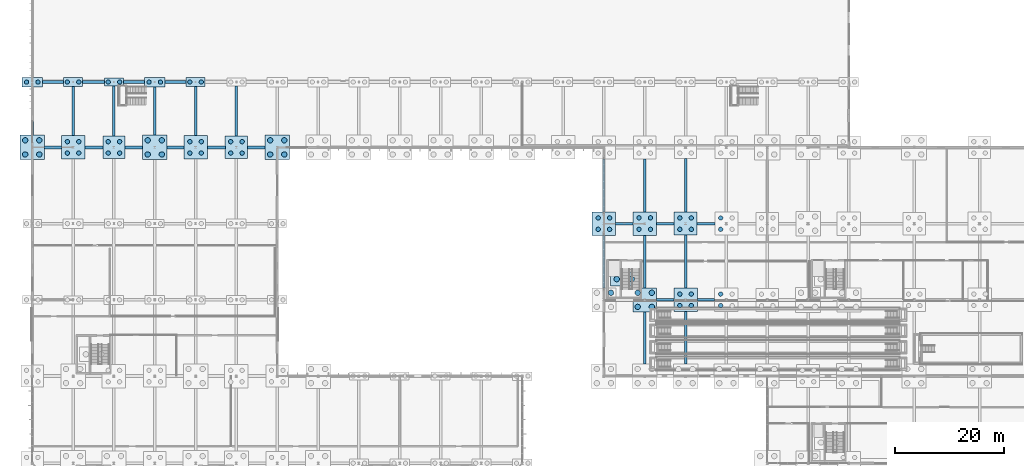
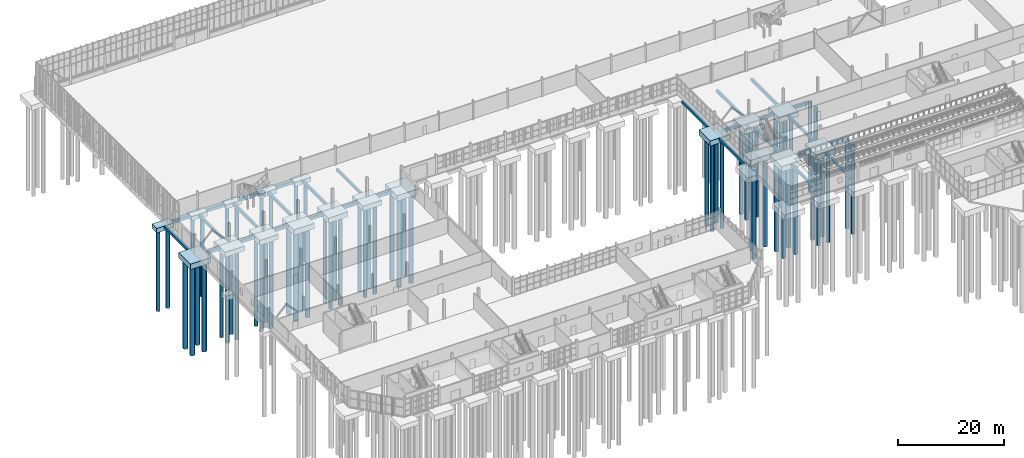
# One storey, part 4 of 136: 65 piles, 47 footings.
"""IFC4 building model written with IfcOpenShell, lengths in metres."""

from ifc_helpers import new_model, si_unit, direction, frame, origin, origin_2d, place, context, subcontext, project, spatial, rectangle, circle, extrude, material, material_profile, profile_set, type_object, element, save


model = new_model("IFC4")

# Units and contexts
model_context = context("Model", 3, precision=1e-05, world=origin(), true_north=direction((0.0, 1.0)))
body_context = subcontext(model_context, "Body", "Model", "MODEL_VIEW")
ifc_project = project(units=[si_unit("LENGTHUNIT", "METRE"), si_unit("AREAUNIT", "SQUARE_METRE"), si_unit("VOLUMEUNIT", "CUBIC_METRE"), si_unit("PLANEANGLEUNIT", "RADIAN"), si_unit("MASSUNIT", "GRAM", prefix="KILO")], contexts=[model_context])

# Site, building, storey
site_placement = place(None, origin())
site = spatial("IfcSite", under=ifc_project, at=site_placement, CompositionType="ELEMENT")
building_placement = place(site_placement, origin())
building = spatial("IfcBuilding", under=site, at=building_placement, Name="Solvenia Promenade Tram Depot", CompositionType="ELEMENT")
storey_placement = place(building_placement, origin())
storey = spatial("IfcBuildingStorey", under=building, at=storey_placement, Name="L00", CompositionType="ELEMENT", Elevation=0.0)

# Footings
ifc_material = material(Name="Concrete C28/35", Category="concrete")
footing_type_1 = type_object("IfcFootingType", Name="Cap-Core-5100x2600", PredefinedType="PAD_FOOTING", material=ifc_material)
footing_1_placement = place(storey_placement, frame((108.75, 41.800048828125, -1.5), z_axis=(0.0, 0.0, 1.0), x_axis=(1.0, 0.0, 0.0)))
element("IfcFooting", 1, at=footing_1_placement, inside=storey, type_object=footing_type_1, Name="Core Foundation Mat C5", PredefinedType="PAD_FOOTING", context=body_context, shape_type="SweptSolid", body=[
    extrude(rectangle(XDim=5.10009765625, YDim=2.60009765625, at=origin_2d()), origin(), (0.0, 0.0, 1.0), 1.199951171875),
])
footing_type_2 = type_object("IfcFootingType", Name="Cap-PC2-3450x1500", PredefinedType="PILE_CAP", material=ifc_material)
footing_2_placement = place(storey_placement, frame((15.0, 78.0, -1.280029296875), z_axis=(0.0, 0.0, 1.0), x_axis=(1.0, 0.0, 0.0)))
element("IfcFooting", 2, at=footing_2_placement, inside=storey, type_object=footing_type_2, Name="Pile Cap CAP-022", PredefinedType="PILE_CAP", context=body_context, shape_type="SweptSolid", body=[
    extrude(rectangle(XDim=3.449951171875, YDim=1.5, at=origin_2d()), origin(), (0.0, 0.0, 1.0), 0.97998046875),
])
footing_type_3 = type_object("IfcFootingType", Name="Cap-PC2-3550x1620", PredefinedType="PILE_CAP", material=ifc_material)
for number, where, z_axis, x_axis, name in (
    (3, (7.5, 78.0, -1.320068359375), (0.0, 0.0, 1.0), (1.0, 0.0, 0.0), "Pile Cap CAP-014"),
    (4, (30.0, 78.0, -1.320068359375), (0.0, 0.0, 1.0), (1.0, 0.0, 0.0), "Pile Cap CAP-038"),
):
    element("IfcFooting", number, at=place(storey_placement, frame(where, z_axis=z_axis, x_axis=x_axis)), inside=storey, type_object=footing_type_3, Name=name, PredefinedType="PILE_CAP", context=body_context, shape_type="SweptSolid", body=[
        extrude(rectangle(XDim=3.550048828125, YDim=1.6201171875, at=origin_2d()), origin(), (0.0, 0.0, 1.0), 1.02001953125),
    ])
footing_type_4 = type_object("IfcFootingType", Name="Cap-PC2-3700x1750", PredefinedType="PILE_CAP", material=ifc_material)
for number, where, z_axis, x_axis, name in (
    (5, (0.0, 78.0, -1.380126953125), (0.0, 0.0, 1.0), (1.0, 0.0, 0.0), "Pile Cap CAP-006"),
    (6, (22.5, 78.0, -1.380126953125), (0.0, 0.0, 1.0), (1.0, 0.0, 0.0), "Pile Cap CAP-030"),
):
    element("IfcFooting", number, at=place(storey_placement, frame(where, z_axis=z_axis, x_axis=x_axis)), inside=storey, type_object=footing_type_4, Name=name, PredefinedType="PILE_CAP", context=body_context, shape_type="SweptSolid", body=[
        extrude(rectangle(XDim=3.699951171875, YDim=1.75, at=origin_2d()), origin(), (0.0, 0.0, 1.0), 1.080078125),
    ])
footing_type_5 = type_object("IfcFootingType", Name="Cap-PC4-4100", PredefinedType="PILE_CAP", material=ifc_material)
for number, where, z_axis, x_axis, name in (
    (7, (15.0, 66.0, -1.420166015625), (0.0, 0.0, 1.0), (1.0, 0.0, 0.0), "Pile Cap CAP-021"),
    (8, (37.5, 66.0, -1.420166015625), (0.0, 0.0, 1.0), (1.0, 0.0, 0.0), "Pile Cap CAP-045"),
):
    element("IfcFooting", number, at=place(storey_placement, frame(where, z_axis=z_axis, x_axis=x_axis)), inside=storey, type_object=footing_type_5, Name=name, PredefinedType="PILE_CAP", context=body_context, shape_type="SweptSolid", body=[
        extrude(rectangle(XDim=4.10009765625, YDim=4.10009765625, at=origin_2d()), origin(), (0.0, 0.0, 1.0), 1.1201171875),
    ])
footing_type_6 = type_object("IfcFootingType", Name="Cap-PC4-4200", PredefinedType="PILE_CAP", material=ifc_material)
footing_3_placement = place(storey_placement, frame((120.0, 52.0, -1.449951171875), z_axis=(0.0, 0.0, 1.0), x_axis=(1.0, 0.0, 0.0)))
element("IfcFooting", 9, at=footing_3_placement, inside=storey, type_object=footing_type_6, Name="Pile Cap CAP-108", PredefinedType="PILE_CAP", context=body_context, shape_type="SweptSolid", body=[
    extrude(rectangle(XDim=4.199951171875, YDim=4.199951171875, at=origin_2d()), origin(), (0.0, 0.0, 1.0), 1.14990234375),
])
footing_type_7 = type_object("IfcFootingType", Name="Cap-PC4-4300", PredefinedType="PILE_CAP", material=ifc_material)
for number, where, z_axis, x_axis, name in (
    (10, (7.5, 66.0, -1.47998046875), (0.0, 0.0, 1.0), (1.0, 0.0, 0.0), "Pile Cap CAP-013"),
    (11, (30.0, 66.0, -1.47998046875), (0.0, 0.0, 1.0), (1.0, 0.0, 0.0), "Pile Cap CAP-037"),
    (12, (105.0, 52.0, -1.47998046875), (0.0, 0.0, 1.0), (1.0, 0.0, 0.0), "Pile Cap CAP-096"),
    (13, (112.5, 52.0, -1.47998046875), (0.0, 0.0, 1.0), (1.0, 0.0, 0.0), "Pile Cap CAP-102"),
    (14, (120.0, 38.0, -1.47998046875), (0.0, 0.0, 1.0), (1.0, 0.0, 0.0), "Pile Cap CAP-107"),
):
    element("IfcFooting", number, at=place(storey_placement, frame(where, z_axis=z_axis, x_axis=x_axis)), inside=storey, type_object=footing_type_7, Name=name, PredefinedType="PILE_CAP", context=body_context, shape_type="SweptSolid", body=[
        extrude(rectangle(XDim=4.300048828125, YDim=4.300048828125, at=origin_2d()), origin(), (0.0, 0.0, 1.0), 1.179931640625),
    ])
footing_type_8 = type_object("IfcFootingType", Name="Cap-PC4-4400", PredefinedType="PILE_CAP", material=ifc_material)
footing_4_placement = place(storey_placement, frame((112.5, 38.0, -1.52001953125), z_axis=(0.0, 0.0, 1.0), x_axis=(1.0, 0.0, 0.0)))
element("IfcFooting", 15, at=footing_4_placement, inside=storey, type_object=footing_type_8, Name="Pile Cap CAP-101", PredefinedType="PILE_CAP", context=body_context, shape_type="SweptSolid", body=[
    extrude(rectangle(XDim=4.39990234375, YDim=4.39990234375, at=origin_2d()), origin(), (0.0, 0.0, 1.0), 1.219970703125),
])
footing_type_9 = type_object("IfcFootingType", Name="Cap-PC4-4500", PredefinedType="PILE_CAP", material=ifc_material)
for number, where, z_axis, x_axis, name in (
    (16, (0.0, 66.0, -1.56005859375), (0.0, 0.0, 1.0), (1.0, 0.0, 0.0), "Pile Cap CAP-005"),
    (17, (22.5, 66.0, -1.56005859375), (0.0, 0.0, 1.0), (1.0, 0.0, 0.0), "Pile Cap CAP-029"),
    (18, (45.0, 66.0, -1.56005859375), (0.0, 0.0, 1.0), (1.0, 0.0, 0.0), "Pile Cap CAP-053"),
):
    element("IfcFooting", number, at=place(storey_placement, frame(where, z_axis=z_axis, x_axis=x_axis)), inside=storey, type_object=footing_type_9, Name=name, PredefinedType="PILE_CAP", context=body_context, shape_type="SweptSolid", body=[
        extrude(rectangle(XDim=4.5, YDim=4.5, at=origin_2d()), origin(), (0.0, 0.0, 1.0), 1.260009765625),
    ])

# Piles
ifc_material_profile_1 = material_profile(ifc_material, circle(Radius=0.5, at=origin_2d()), Name="D1000", Category="concrete")
ifc_profile_set_1 = profile_set([ifc_material_profile_1], Name="Concrete C28/35")
pile_type_1 = type_object("IfcPileType", Name="Pile-D1000", PredefinedType="BORED", material=ifc_profile_set_1)
for number, where, z_axis, x_axis, name in (
    (19, (-1.300048828125, 64.699951171875, -1.4599609375), (0.0, 0.0, -1.0), (1.0, 0.0, 0.0), "Bored Pile PILE-005-1"),
    (20, (-1.300048828125, 67.300048828125, -1.4599609375), (0.0, 0.0, -1.0), (1.0, 0.0, 0.0), "Bored Pile PILE-005-2"),
    (21, (1.300048828125, 64.699951171875, -1.4599609375), (0.0, 0.0, -1.0), (1.0, 0.0, 0.0), "Bored Pile PILE-005-3"),
    (22, (1.300048828125, 67.300048828125, -1.4599609375), (0.0, 0.0, -1.0), (1.0, 0.0, 0.0), "Bored Pile PILE-005-4"),
    (23, (21.199951171875, 64.699951171875, -1.4599609375), (0.0, 0.0, -1.0), (1.0, 0.0, 0.0), "Bored Pile PILE-029-1"),
    (24, (21.199951171875, 67.300048828125, -1.4599609375), (0.0, 0.0, -1.0), (1.0, 0.0, 0.0), "Bored Pile PILE-029-2"),
    (25, (23.800048828125, 64.699951171875, -1.4599609375), (0.0, 0.0, -1.0), (1.0, 0.0, 0.0), "Bored Pile PILE-029-3"),
    (26, (23.800048828125, 67.300048828125, -1.4599609375), (0.0, 0.0, -1.0), (1.0, 0.0, 0.0), "Bored Pile PILE-029-4"),
    (27, (43.699951171875, 64.699951171875, -1.4599609375), (0.0, 0.0, -1.0), (1.0, 0.0, 0.0), "Bored Pile PILE-053-1"),
    (28, (43.699951171875, 67.300048828125, -1.4599609375), (0.0, 0.0, -1.0), (1.0, 0.0, 0.0), "Bored Pile PILE-053-2"),
    (29, (46.300048828125, 64.699951171875, -1.4599609375), (0.0, 0.0, -1.0), (1.0, 0.0, 0.0), "Bored Pile PILE-053-3"),
    (30, (46.300048828125, 67.300048828125, -1.4599609375), (0.0, 0.0, -1.0), (1.0, 0.0, 0.0), "Bored Pile PILE-053-4"),
):
    element("IfcPile", number, at=place(storey_placement, frame(where, z_axis=z_axis, x_axis=x_axis)), inside=storey, type_object=pile_type_1, Name=name, PredefinedType="BORED", context=body_context, shape_type="SweptSolid", body=[
        extrude(circle(Radius=0.5, at=origin_2d()), origin(), (0.0, 0.0, 1.0), 20.5400390625),
    ])
for number, where, z_axis, x_axis, name in (
    (31, (106.300048828125, 39.300048828125, -1.419921875), (0.0, 0.0, -1.0), (1.0, 0.0, 0.0), "Bored Pile PILE-095-4"),
    (32, (111.199951171875, 36.699951171875, -1.419921875), (0.0, 0.0, -1.0), (1.0, 0.0, 0.0), "Bored Pile PILE-101-1"),
    (33, (111.199951171875, 39.300048828125, -1.419921875), (0.0, 0.0, -1.0), (1.0, 0.0, 0.0), "Bored Pile PILE-101-2"),
    (34, (113.800048828125, 36.699951171875, -1.419921875), (0.0, 0.0, -1.0), (1.0, 0.0, 0.0), "Bored Pile PILE-101-3"),
    (35, (113.800048828125, 39.300048828125, -1.419921875), (0.0, 0.0, -1.0), (1.0, 0.0, 0.0), "Bored Pile PILE-101-4"),
):
    element("IfcPile", number, at=place(storey_placement, frame(where, z_axis=z_axis, x_axis=x_axis)), inside=storey, type_object=pile_type_1, Name=name, PredefinedType="BORED", context=body_context, shape_type="SweptSolid", body=[
        extrude(circle(Radius=0.5, at=origin_2d()), origin(), (0.0, 0.0, 1.0), 20.580078125),
    ])
for number, where, z_axis, x_axis, name in (
    (36, (107.35009765625, 41.800048828125, -1.39990234375), (0.0, 0.0, -1.0), (1.0, 0.0, 0.0), "Core Bored Pile PILE-CORE-05-1"),
    (37, (110.14990234375, 41.800048828125, -1.39990234375), (0.0, 0.0, -1.0), (1.0, 0.0, 0.0), "Core Bored Pile PILE-CORE-05-2"),
):
    element("IfcPile", number, at=place(storey_placement, frame(where, z_axis=z_axis, x_axis=x_axis)), inside=storey, type_object=pile_type_1, Name=name, PredefinedType="BORED", context=body_context, shape_type="SweptSolid", body=[
        extrude(circle(Radius=0.5, at=origin_2d()), origin(), (0.0, 0.0, 1.0), 20.60009765625),
    ])
ifc_material_profile_2 = material_profile(ifc_material, circle(Radius=0.39990234375, at=origin_2d()), Name="D800", Category="concrete")
ifc_profile_set_2 = profile_set([ifc_material_profile_2], Name="Concrete C28/35")
pile_type_2 = type_object("IfcPileType", Name="Pile-D800", PredefinedType="BORED", material=ifc_profile_set_2)
for number, where, z_axis, x_axis, name in (
    (38, (-1.050048828125, 78.0, -1.280029296875), (0.0, 0.0, -1.0), (1.0, 0.0, 0.0), "Bored Pile PILE-006-1"),
    (39, (1.050048828125, 78.0, -1.280029296875), (0.0, 0.0, -1.0), (1.0, 0.0, 0.0), "Bored Pile PILE-006-2"),
):
    element("IfcPile", number, at=place(storey_placement, frame(where, z_axis=z_axis, x_axis=x_axis)), inside=storey, type_object=pile_type_2, Name=name, PredefinedType="BORED", context=body_context, shape_type="SweptSolid", body=[
        extrude(circle(Radius=0.39990234375, at=origin_2d()), origin(), (0.0, 0.0, 1.0), 18.719970703125),
    ])
for number, where, z_axis, x_axis, name in (
    (40, (6.449951171875, 64.949951171875, -1.3798828125), (0.0, 0.0, -1.0), (1.0, 0.0, 0.0), "Bored Pile PILE-013-1"),
    (41, (6.449951171875, 67.050048828125, -1.3798828125), (0.0, 0.0, -1.0), (1.0, 0.0, 0.0), "Bored Pile PILE-013-2"),
    (42, (8.550048828125, 64.949951171875, -1.3798828125), (0.0, 0.0, -1.0), (1.0, 0.0, 0.0), "Bored Pile PILE-013-3"),
    (43, (8.550048828125, 67.050048828125, -1.3798828125), (0.0, 0.0, -1.0), (1.0, 0.0, 0.0), "Bored Pile PILE-013-4"),
):
    element("IfcPile", number, at=place(storey_placement, frame(where, z_axis=z_axis, x_axis=x_axis)), inside=storey, type_object=pile_type_2, Name=name, PredefinedType="BORED", context=body_context, shape_type="SweptSolid", body=[
        extrude(circle(Radius=0.39990234375, at=origin_2d()), origin(), (0.0, 0.0, 1.0), 20.6201171875),
    ])
for number, where, z_axis, x_axis, name in (
    (44, (6.449951171875, 78.0, -1.219970703125), (0.0, 0.0, -1.0), (1.0, 0.0, 0.0), "Bored Pile PILE-014-1"),
    (45, (8.550048828125, 78.0, -1.219970703125), (0.0, 0.0, -1.0), (1.0, 0.0, 0.0), "Bored Pile PILE-014-2"),
):
    element("IfcPile", number, at=place(storey_placement, frame(where, z_axis=z_axis, x_axis=x_axis)), inside=storey, type_object=pile_type_2, Name=name, PredefinedType="BORED", context=body_context, shape_type="SweptSolid", body=[
        extrude(circle(Radius=0.39990234375, at=origin_2d()), origin(), (0.0, 0.0, 1.0), 18.780029296875),
    ])
for number, where, z_axis, x_axis, name in (
    (46, (13.949951171875, 64.949951171875, -1.320068359375), (0.0, 0.0, -1.0), (1.0, 0.0, 0.0), "Bored Pile PILE-021-1"),
    (47, (13.949951171875, 67.050048828125, -1.320068359375), (0.0, 0.0, -1.0), (1.0, 0.0, 0.0), "Bored Pile PILE-021-2"),
    (48, (16.050048828125, 64.949951171875, -1.320068359375), (0.0, 0.0, -1.0), (1.0, 0.0, 0.0), "Bored Pile PILE-021-3"),
    (49, (16.050048828125, 67.050048828125, -1.320068359375), (0.0, 0.0, -1.0), (1.0, 0.0, 0.0), "Bored Pile PILE-021-4"),
):
    element("IfcPile", number, at=place(storey_placement, frame(where, z_axis=z_axis, x_axis=x_axis)), inside=storey, type_object=pile_type_2, Name=name, PredefinedType="BORED", context=body_context, shape_type="SweptSolid", body=[
        extrude(circle(Radius=0.39990234375, at=origin_2d()), origin(), (0.0, 0.0, 1.0), 20.679931640625),
    ])
for number, where, z_axis, x_axis, name in (
    (50, (13.949951171875, 78.0, -1.179931640625), (0.0, 0.0, -1.0), (1.0, 0.0, 0.0), "Bored Pile PILE-022-1"),
    (51, (16.050048828125, 78.0, -1.179931640625), (0.0, 0.0, -1.0), (1.0, 0.0, 0.0), "Bored Pile PILE-022-2"),
):
    element("IfcPile", number, at=place(storey_placement, frame(where, z_axis=z_axis, x_axis=x_axis)), inside=storey, type_object=pile_type_2, Name=name, PredefinedType="BORED", context=body_context, shape_type="SweptSolid", body=[
        extrude(circle(Radius=0.39990234375, at=origin_2d()), origin(), (0.0, 0.0, 1.0), 18.820068359375),
    ])
for number, where, z_axis, x_axis, name in (
    (52, (21.449951171875, 78.0, -1.280029296875), (0.0, 0.0, -1.0), (1.0, 0.0, 0.0), "Bored Pile PILE-030-1"),
    (53, (23.550048828125, 78.0, -1.280029296875), (0.0, 0.0, -1.0), (1.0, 0.0, 0.0), "Bored Pile PILE-030-2"),
):
    element("IfcPile", number, at=place(storey_placement, frame(where, z_axis=z_axis, x_axis=x_axis)), inside=storey, type_object=pile_type_2, Name=name, PredefinedType="BORED", context=body_context, shape_type="SweptSolid", body=[
        extrude(circle(Radius=0.39990234375, at=origin_2d()), origin(), (0.0, 0.0, 1.0), 18.719970703125),
    ])
for number, where, z_axis, x_axis, name in (
    (54, (28.949951171875, 64.949951171875, -1.3798828125), (0.0, 0.0, -1.0), (1.0, 0.0, 0.0), "Bored Pile PILE-037-1"),
    (55, (28.949951171875, 67.050048828125, -1.3798828125), (0.0, 0.0, -1.0), (1.0, 0.0, 0.0), "Bored Pile PILE-037-2"),
    (56, (31.050048828125, 64.949951171875, -1.3798828125), (0.0, 0.0, -1.0), (1.0, 0.0, 0.0), "Bored Pile PILE-037-3"),
    (57, (31.050048828125, 67.050048828125, -1.3798828125), (0.0, 0.0, -1.0), (1.0, 0.0, 0.0), "Bored Pile PILE-037-4"),
):
    element("IfcPile", number, at=place(storey_placement, frame(where, z_axis=z_axis, x_axis=x_axis)), inside=storey, type_object=pile_type_2, Name=name, PredefinedType="BORED", context=body_context, shape_type="SweptSolid", body=[
        extrude(circle(Radius=0.39990234375, at=origin_2d()), origin(), (0.0, 0.0, 1.0), 20.6201171875),
    ])
for number, where, z_axis, x_axis, name in (
    (58, (28.949951171875, 78.0, -1.219970703125), (0.0, 0.0, -1.0), (1.0, 0.0, 0.0), "Bored Pile PILE-038-1"),
    (59, (31.050048828125, 78.0, -1.219970703125), (0.0, 0.0, -1.0), (1.0, 0.0, 0.0), "Bored Pile PILE-038-2"),
):
    element("IfcPile", number, at=place(storey_placement, frame(where, z_axis=z_axis, x_axis=x_axis)), inside=storey, type_object=pile_type_2, Name=name, PredefinedType="BORED", context=body_context, shape_type="SweptSolid", body=[
        extrude(circle(Radius=0.39990234375, at=origin_2d()), origin(), (0.0, 0.0, 1.0), 18.780029296875),
    ])
for number, where, z_axis, x_axis, name in (
    (60, (36.449951171875, 64.949951171875, -1.320068359375), (0.0, 0.0, -1.0), (1.0, 0.0, 0.0), "Bored Pile PILE-045-1"),
    (61, (36.449951171875, 67.050048828125, -1.320068359375), (0.0, 0.0, -1.0), (1.0, 0.0, 0.0), "Bored Pile PILE-045-2"),
    (62, (38.550048828125, 64.949951171875, -1.320068359375), (0.0, 0.0, -1.0), (1.0, 0.0, 0.0), "Bored Pile PILE-045-3"),
    (63, (38.550048828125, 67.050048828125, -1.320068359375), (0.0, 0.0, -1.0), (1.0, 0.0, 0.0), "Bored Pile PILE-045-4"),
):
    element("IfcPile", number, at=place(storey_placement, frame(where, z_axis=z_axis, x_axis=x_axis)), inside=storey, type_object=pile_type_2, Name=name, PredefinedType="BORED", context=body_context, shape_type="SweptSolid", body=[
        extrude(circle(Radius=0.39990234375, at=origin_2d()), origin(), (0.0, 0.0, 1.0), 20.679931640625),
    ])
for number, where, z_axis, x_axis, name in (
    (64, (103.949951171875, 50.949951171875, -1.3798828125), (0.0, 0.0, -1.0), (1.0, 0.0, 0.0), "Bored Pile PILE-096-1"),
    (65, (103.949951171875, 53.050048828125, -1.3798828125), (0.0, 0.0, -1.0), (1.0, 0.0, 0.0), "Bored Pile PILE-096-2"),
    (66, (106.050048828125, 50.949951171875, -1.3798828125), (0.0, 0.0, -1.0), (1.0, 0.0, 0.0), "Bored Pile PILE-096-3"),
    (67, (106.050048828125, 53.050048828125, -1.3798828125), (0.0, 0.0, -1.0), (1.0, 0.0, 0.0), "Bored Pile PILE-096-4"),
    (68, (111.449951171875, 50.949951171875, -1.3798828125), (0.0, 0.0, -1.0), (1.0, 0.0, 0.0), "Bored Pile PILE-102-1"),
    (69, (111.449951171875, 53.050048828125, -1.3798828125), (0.0, 0.0, -1.0), (1.0, 0.0, 0.0), "Bored Pile PILE-102-2"),
    (70, (113.550048828125, 50.949951171875, -1.3798828125), (0.0, 0.0, -1.0), (1.0, 0.0, 0.0), "Bored Pile PILE-102-3"),
    (71, (113.550048828125, 53.050048828125, -1.3798828125), (0.0, 0.0, -1.0), (1.0, 0.0, 0.0), "Bored Pile PILE-102-4"),
    (72, (118.949951171875, 36.949951171875, -1.3798828125), (0.0, 0.0, -1.0), (1.0, 0.0, 0.0), "Bored Pile PILE-107-1"),
    (73, (118.949951171875, 39.050048828125, -1.3798828125), (0.0, 0.0, -1.0), (1.0, 0.0, 0.0), "Bored Pile PILE-107-2"),
    (74, (121.050048828125, 36.949951171875, -1.3798828125), (0.0, 0.0, -1.0), (1.0, 0.0, 0.0), "Bored Pile PILE-107-3"),
    (75, (121.050048828125, 39.050048828125, -1.3798828125), (0.0, 0.0, -1.0), (1.0, 0.0, 0.0), "Bored Pile PILE-107-4"),
):
    element("IfcPile", number, at=place(storey_placement, frame(where, z_axis=z_axis, x_axis=x_axis)), inside=storey, type_object=pile_type_2, Name=name, PredefinedType="BORED", context=body_context, shape_type="SweptSolid", body=[
        extrude(circle(Radius=0.39990234375, at=origin_2d()), origin(), (0.0, 0.0, 1.0), 20.6201171875),
    ])
for number, where, z_axis, x_axis, name in (
    (76, (118.949951171875, 50.949951171875, -1.35009765625), (0.0, 0.0, -1.0), (1.0, 0.0, 0.0), "Bored Pile PILE-108-1"),
    (77, (118.949951171875, 53.050048828125, -1.35009765625), (0.0, 0.0, -1.0), (1.0, 0.0, 0.0), "Bored Pile PILE-108-2"),
    (78, (121.050048828125, 50.949951171875, -1.35009765625), (0.0, 0.0, -1.0), (1.0, 0.0, 0.0), "Bored Pile PILE-108-3"),
    (79, (121.050048828125, 53.050048828125, -1.35009765625), (0.0, 0.0, -1.0), (1.0, 0.0, 0.0), "Bored Pile PILE-108-4"),
):
    element("IfcPile", number, at=place(storey_placement, frame(where, z_axis=z_axis, x_axis=x_axis)), inside=storey, type_object=pile_type_2, Name=name, PredefinedType="BORED", context=body_context, shape_type="SweptSolid", body=[
        extrude(circle(Radius=0.39990234375, at=origin_2d()), origin(), (0.0, 0.0, 1.0), 20.64990234375),
    ])
for number, where, z_axis, x_axis, name in (
    (80, (126.449951171875, 36.949951171875, -1.3798828125), (0.0, 0.0, -1.0), (1.0, 0.0, 0.0), "Bored Pile PILE-113-1"),
    (81, (126.449951171875, 39.050048828125, -1.3798828125), (0.0, 0.0, -1.0), (1.0, 0.0, 0.0), "Bored Pile PILE-113-2"),
):
    element("IfcPile", number, at=place(storey_placement, frame(where, z_axis=z_axis, x_axis=x_axis)), inside=storey, type_object=pile_type_2, Name=name, PredefinedType="BORED", context=body_context, shape_type="SweptSolid", body=[
        extrude(circle(Radius=0.39990234375, at=origin_2d()), origin(), (0.0, 0.0, 1.0), 20.6201171875),
    ])
for number, where, z_axis, x_axis, name in (
    (82, (126.449951171875, 50.949951171875, -1.35009765625), (0.0, 0.0, -1.0), (1.0, 0.0, 0.0), "Bored Pile PILE-114-1"),
    (83, (126.449951171875, 53.050048828125, -1.35009765625), (0.0, 0.0, -1.0), (1.0, 0.0, 0.0), "Bored Pile PILE-114-2"),
):
    element("IfcPile", number, at=place(storey_placement, frame(where, z_axis=z_axis, x_axis=x_axis)), inside=storey, type_object=pile_type_2, Name=name, PredefinedType="BORED", context=body_context, shape_type="SweptSolid", body=[
        extrude(circle(Radius=0.39990234375, at=origin_2d()), origin(), (0.0, 0.0, 1.0), 20.64990234375),
    ])

# Footings
footing_type_10 = type_object("IfcFootingType", Name="TieBeam-450x600", PredefinedType="FOOTING_BEAM", material=ifc_material)
footing_5_placement = place(storey_placement, frame((0.0, 72.6875, -0.900146484375), z_axis=(0.0, 0.0, 1.0), x_axis=(1.0, 0.0, 0.0)))
element("IfcFooting", 84, at=footing_5_placement, inside=storey, type_object=footing_type_10, Name="Seismic Tie Beam Y-142", PredefinedType="FOOTING_BEAM", context=body_context, shape_type="SweptSolid", body=[
    extrude(rectangle(XDim=0.449951171875, YDim=8.875, at=origin_2d()), origin(), (0.0, 0.0, 1.0), 0.60009765625),
])
footing_6_placement = place(storey_placement, frame((7.5, 72.669921875, -0.900146484375), z_axis=(0.0, 0.0, 1.0), x_axis=(1.0, 0.0, 0.0)))
element("IfcFooting", 85, at=footing_6_placement, inside=storey, type_object=footing_type_10, Name="Seismic Tie Beam Y-148", PredefinedType="FOOTING_BEAM", context=body_context, shape_type="SweptSolid", body=[
    extrude(rectangle(XDim=0.449951171875, YDim=9.0400390625, at=origin_2d()), origin(), (0.0, 0.0, 1.0), 0.60009765625),
])
footing_7_placement = place(storey_placement, frame((15.0, 72.64990234375, -0.900146484375), z_axis=(0.0, 0.0, 1.0), x_axis=(1.0, 0.0, 0.0)))
element("IfcFooting", 86, at=footing_7_placement, inside=storey, type_object=footing_type_10, Name="Seismic Tie Beam Y-154", PredefinedType="FOOTING_BEAM", context=body_context, shape_type="SweptSolid", body=[
    extrude(rectangle(XDim=0.449951171875, YDim=9.199951171875, at=origin_2d()), origin(), (0.0, 0.0, 1.0), 0.60009765625),
])
footing_8_placement = place(storey_placement, frame((22.5, 72.6875, -0.900146484375), z_axis=(0.0, 0.0, 1.0), x_axis=(1.0, 0.0, 0.0)))
element("IfcFooting", 87, at=footing_8_placement, inside=storey, type_object=footing_type_10, Name="Seismic Tie Beam Y-160", PredefinedType="FOOTING_BEAM", context=body_context, shape_type="SweptSolid", body=[
    extrude(rectangle(XDim=0.449951171875, YDim=8.875, at=origin_2d()), origin(), (0.0, 0.0, 1.0), 0.60009765625),
])
footing_9_placement = place(storey_placement, frame((30.0, 72.669921875, -0.900146484375), z_axis=(0.0, 0.0, 1.0), x_axis=(1.0, 0.0, 0.0)))
element("IfcFooting", 88, at=footing_9_placement, inside=storey, type_object=footing_type_10, Name="Seismic Tie Beam Y-166", PredefinedType="FOOTING_BEAM", context=body_context, shape_type="SweptSolid", body=[
    extrude(rectangle(XDim=0.449951171875, YDim=9.0400390625, at=origin_2d()), origin(), (0.0, 0.0, 1.0), 0.60009765625),
])
footing_10_placement = place(storey_placement, frame((37.5, 72.64990234375, -0.900146484375), z_axis=(0.0, 0.0, 1.0), x_axis=(1.0, 0.0, 0.0)))
element("IfcFooting", 89, at=footing_10_placement, inside=storey, type_object=footing_type_10, Name="Seismic Tie Beam Y-172", PredefinedType="FOOTING_BEAM", context=body_context, shape_type="SweptSolid", body=[
    extrude(rectangle(XDim=0.449951171875, YDim=9.199951171875, at=origin_2d()), origin(), (0.0, 0.0, 1.0), 0.60009765625),
])
footing_11_placement = place(storey_placement, frame((105.0, 45.02490234375, -0.900146484375), z_axis=(0.0, 0.0, 1.0), x_axis=(1.0, 0.0, 0.0)))
element("IfcFooting", 90, at=footing_11_placement, inside=storey, type_object=footing_type_10, Name="Seismic Tie Beam Y-198", PredefinedType="FOOTING_BEAM", context=body_context, shape_type="SweptSolid", body=[
    extrude(rectangle(XDim=0.449951171875, YDim=9.64990234375, at=origin_2d()), origin(), (0.0, 0.0, 1.0), 0.60009765625),
])
footing_12_placement = place(storey_placement, frame((105.0, 59.02490234375, -0.900146484375), z_axis=(0.0, 0.0, 1.0), x_axis=(1.0, 0.0, 0.0)))
element("IfcFooting", 91, at=footing_12_placement, inside=storey, type_object=footing_type_10, Name="Seismic Tie Beam Y-199", PredefinedType="FOOTING_BEAM", context=body_context, shape_type="SweptSolid", body=[
    extrude(rectangle(XDim=0.449951171875, YDim=9.75, at=origin_2d()), origin(), (0.0, 0.0, 1.0), 0.60009765625),
])
footing_13_placement = place(storey_placement, frame((112.5, 31.02490234375, -0.900146484375), z_axis=(0.0, 0.0, 1.0), x_axis=(1.0, 0.0, 0.0)))
element("IfcFooting", 92, at=footing_13_placement, inside=storey, type_object=footing_type_10, Name="Seismic Tie Beam Y-201", PredefinedType="FOOTING_BEAM", context=body_context, shape_type="SweptSolid", body=[
    extrude(rectangle(XDim=0.449951171875, YDim=9.550048828125, at=origin_2d()), origin(), (0.0, 0.0, 1.0), 0.60009765625),
])
footing_14_placement = place(storey_placement, frame((112.5, 45.02490234375, -0.900146484375), z_axis=(0.0, 0.0, 1.0), x_axis=(1.0, 0.0, 0.0)))
element("IfcFooting", 93, at=footing_14_placement, inside=storey, type_object=footing_type_10, Name="Seismic Tie Beam Y-202", PredefinedType="FOOTING_BEAM", context=body_context, shape_type="SweptSolid", body=[
    extrude(rectangle(XDim=0.449951171875, YDim=9.64990234375, at=origin_2d()), origin(), (0.0, 0.0, 1.0), 0.60009765625),
])
footing_15_placement = place(storey_placement, frame((112.5, 59.02490234375, -0.900146484375), z_axis=(0.0, 0.0, 1.0), x_axis=(1.0, 0.0, 0.0)))
element("IfcFooting", 94, at=footing_15_placement, inside=storey, type_object=footing_type_10, Name="Seismic Tie Beam Y-203", PredefinedType="FOOTING_BEAM", context=body_context, shape_type="SweptSolid", body=[
    extrude(rectangle(XDim=0.449951171875, YDim=9.75, at=origin_2d()), origin(), (0.0, 0.0, 1.0), 0.60009765625),
])
footing_16_placement = place(storey_placement, frame((120.0, 31.050048828125, -0.900146484375), z_axis=(0.0, 0.0, 1.0), x_axis=(1.0, 0.0, 0.0)))
element("IfcFooting", 95, at=footing_16_placement, inside=storey, type_object=footing_type_10, Name="Seismic Tie Beam Y-205", PredefinedType="FOOTING_BEAM", context=body_context, shape_type="SweptSolid", body=[
    extrude(rectangle(XDim=0.449951171875, YDim=9.60009765625, at=origin_2d()), origin(), (0.0, 0.0, 1.0), 0.60009765625),
])
footing_17_placement = place(storey_placement, frame((120.0, 45.02490234375, -0.900146484375), z_axis=(0.0, 0.0, 1.0), x_axis=(1.0, 0.0, 0.0)))
element("IfcFooting", 96, at=footing_17_placement, inside=storey, type_object=footing_type_10, Name="Seismic Tie Beam Y-206", PredefinedType="FOOTING_BEAM", context=body_context, shape_type="SweptSolid", body=[
    extrude(rectangle(XDim=0.449951171875, YDim=9.75, at=origin_2d()), origin(), (0.0, 0.0, 1.0), 0.60009765625),
])
footing_18_placement = place(storey_placement, frame((120.0, 59.02490234375, -0.900146484375), z_axis=(0.0, 0.0, 1.0), x_axis=(1.0, 0.0, 0.0)))
element("IfcFooting", 97, at=footing_18_placement, inside=storey, type_object=footing_type_10, Name="Seismic Tie Beam Y-207", PredefinedType="FOOTING_BEAM", context=body_context, shape_type="SweptSolid", body=[
    extrude(rectangle(XDim=0.449951171875, YDim=9.85009765625, at=origin_2d()), origin(), (0.0, 0.0, 1.0), 0.60009765625),
])
footing_type_11 = type_object("IfcFootingType", Name="TieBeam-500x700", PredefinedType="FOOTING_BEAM", material=ifc_material)
footing_19_placement = place(storey_placement, frame((116.27490234375, 38.0, -1.0), z_axis=(0.0, 0.0, 1.0), x_axis=(1.0, 0.0, 0.0)))
element("IfcFooting", 98, at=footing_19_placement, inside=storey, type_object=footing_type_11, Name="Seismic Tie Beam X-060", PredefinedType="FOOTING_BEAM", context=body_context, shape_type="SweptSolid", body=[
    extrude(rectangle(XDim=3.14990234375, YDim=0.5, at=origin_2d()), origin(), (0.0, 0.0, 1.0), 0.699951171875),
])
for number, where, z_axis, x_axis, name in (
    (99, (123.75, 38.0, -1.0), (0.0, 0.0, 1.0), (1.0, 0.0, 0.0), "Seismic Tie Beam X-061"),
    (100, (108.75, 52.0, -1.0), (0.0, 0.0, 1.0), (1.0, 0.0, 0.0), "Seismic Tie Beam X-074"),
):
    element("IfcFooting", number, at=place(storey_placement, frame(where, z_axis=z_axis, x_axis=x_axis)), inside=storey, type_object=footing_type_11, Name=name, PredefinedType="FOOTING_BEAM", context=body_context, shape_type="SweptSolid", body=[
        extrude(rectangle(XDim=3.199951171875, YDim=0.5, at=origin_2d()), origin(), (0.0, 0.0, 1.0), 0.699951171875),
    ])
footing_20_placement = place(storey_placement, frame((116.27490234375, 52.0, -1.0), z_axis=(0.0, 0.0, 1.0), x_axis=(1.0, 0.0, 0.0)))
element("IfcFooting", 101, at=footing_20_placement, inside=storey, type_object=footing_type_11, Name="Seismic Tie Beam X-075", PredefinedType="FOOTING_BEAM", context=body_context, shape_type="SweptSolid", body=[
    extrude(rectangle(XDim=3.25, YDim=0.5, at=origin_2d()), origin(), (0.0, 0.0, 1.0), 0.699951171875),
])
footing_21_placement = place(storey_placement, frame((123.75, 52.0, -1.0), z_axis=(0.0, 0.0, 1.0), x_axis=(1.0, 0.0, 0.0)))
element("IfcFooting", 102, at=footing_21_placement, inside=storey, type_object=footing_type_11, Name="Seismic Tie Beam X-076", PredefinedType="FOOTING_BEAM", context=body_context, shape_type="SweptSolid", body=[
    extrude(rectangle(XDim=3.300048828125, YDim=0.5, at=origin_2d()), origin(), (0.0, 0.0, 1.0), 0.699951171875),
])
footing_22_placement = place(storey_placement, frame((3.800048828125, 66.0, -1.0), z_axis=(0.0, 0.0, 1.0), x_axis=(1.0, 0.0, 0.0)))
element("IfcFooting", 103, at=footing_22_placement, inside=storey, type_object=footing_type_11, Name="Seismic Tie Beam X-083", PredefinedType="FOOTING_BEAM", context=body_context, shape_type="SweptSolid", body=[
    extrude(rectangle(XDim=3.10009765625, YDim=0.5, at=origin_2d()), origin(), (0.0, 0.0, 1.0), 0.699951171875),
])
footing_23_placement = place(storey_placement, frame((11.300048828125, 66.0, -1.0), z_axis=(0.0, 0.0, 1.0), x_axis=(1.0, 0.0, 0.0)))
element("IfcFooting", 104, at=footing_23_placement, inside=storey, type_object=footing_type_11, Name="Seismic Tie Beam X-084", PredefinedType="FOOTING_BEAM", context=body_context, shape_type="SweptSolid", body=[
    extrude(rectangle(XDim=3.300048828125, YDim=0.5, at=origin_2d()), origin(), (0.0, 0.0, 1.0), 0.699951171875),
])
footing_24_placement = place(storey_placement, frame((18.64990234375, 66.0, -1.0), z_axis=(0.0, 0.0, 1.0), x_axis=(1.0, 0.0, 0.0)))
element("IfcFooting", 105, at=footing_24_placement, inside=storey, type_object=footing_type_11, Name="Seismic Tie Beam X-085", PredefinedType="FOOTING_BEAM", context=body_context, shape_type="SweptSolid", body=[
    extrude(rectangle(XDim=3.199951171875, YDim=0.5, at=origin_2d()), origin(), (0.0, 0.0, 1.0), 0.699951171875),
])
footing_25_placement = place(storey_placement, frame((26.300048828125, 66.0, -1.0), z_axis=(0.0, 0.0, 1.0), x_axis=(1.0, 0.0, 0.0)))
element("IfcFooting", 106, at=footing_25_placement, inside=storey, type_object=footing_type_11, Name="Seismic Tie Beam X-086", PredefinedType="FOOTING_BEAM", context=body_context, shape_type="SweptSolid", body=[
    extrude(rectangle(XDim=3.10009765625, YDim=0.5, at=origin_2d()), origin(), (0.0, 0.0, 1.0), 0.699951171875),
])
footing_26_placement = place(storey_placement, frame((33.800048828125, 66.0, -1.0), z_axis=(0.0, 0.0, 1.0), x_axis=(1.0, 0.0, 0.0)))
element("IfcFooting", 107, at=footing_26_placement, inside=storey, type_object=footing_type_11, Name="Seismic Tie Beam X-087", PredefinedType="FOOTING_BEAM", context=body_context, shape_type="SweptSolid", body=[
    extrude(rectangle(XDim=3.300048828125, YDim=0.5, at=origin_2d()), origin(), (0.0, 0.0, 1.0), 0.699951171875),
])
footing_27_placement = place(storey_placement, frame((41.14990234375, 66.0, -1.0), z_axis=(0.0, 0.0, 1.0), x_axis=(1.0, 0.0, 0.0)))
element("IfcFooting", 108, at=footing_27_placement, inside=storey, type_object=footing_type_11, Name="Seismic Tie Beam X-088", PredefinedType="FOOTING_BEAM", context=body_context, shape_type="SweptSolid", body=[
    extrude(rectangle(XDim=3.199951171875, YDim=0.5, at=origin_2d()), origin(), (0.0, 0.0, 1.0), 0.699951171875),
])
footing_28_placement = place(storey_placement, frame((3.78759765625, 78.0, -1.0), z_axis=(0.0, 0.0, 1.0), x_axis=(1.0, 0.0, 0.0)))
element("IfcFooting", 109, at=footing_28_placement, inside=storey, type_object=footing_type_11, Name="Seismic Tie Beam X-106", PredefinedType="FOOTING_BEAM", context=body_context, shape_type="SweptSolid", body=[
    extrude(rectangle(XDim=3.875, YDim=0.5, at=origin_2d()), origin(), (0.0, 0.0, 1.0), 0.699951171875),
])
footing_29_placement = place(storey_placement, frame((11.27490234375, 78.0, -1.0), z_axis=(0.0, 0.0, 1.0), x_axis=(1.0, 0.0, 0.0)))
element("IfcFooting", 110, at=footing_29_placement, inside=storey, type_object=footing_type_11, Name="Seismic Tie Beam X-107", PredefinedType="FOOTING_BEAM", context=body_context, shape_type="SweptSolid", body=[
    extrude(rectangle(XDim=4.0, YDim=0.5, at=origin_2d()), origin(), (0.0, 0.0, 1.0), 0.699951171875),
])
footing_30_placement = place(storey_placement, frame((18.6875, 78.0, -1.0), z_axis=(0.0, 0.0, 1.0), x_axis=(1.0, 0.0, 0.0)))
element("IfcFooting", 111, at=footing_30_placement, inside=storey, type_object=footing_type_11, Name="Seismic Tie Beam X-108", PredefinedType="FOOTING_BEAM", context=body_context, shape_type="SweptSolid", body=[
    extrude(rectangle(XDim=3.925048828125, YDim=0.5, at=origin_2d()), origin(), (0.0, 0.0, 1.0), 0.699951171875),
])
footing_31_placement = place(storey_placement, frame((26.28759765625, 78.0, -1.0), z_axis=(0.0, 0.0, 1.0), x_axis=(1.0, 0.0, 0.0)))
element("IfcFooting", 112, at=footing_31_placement, inside=storey, type_object=footing_type_11, Name="Seismic Tie Beam X-109", PredefinedType="FOOTING_BEAM", context=body_context, shape_type="SweptSolid", body=[
    extrude(rectangle(XDim=3.875, YDim=0.5, at=origin_2d()), origin(), (0.0, 0.0, 1.0), 0.699951171875),
])

save(model, "model.ifc")
